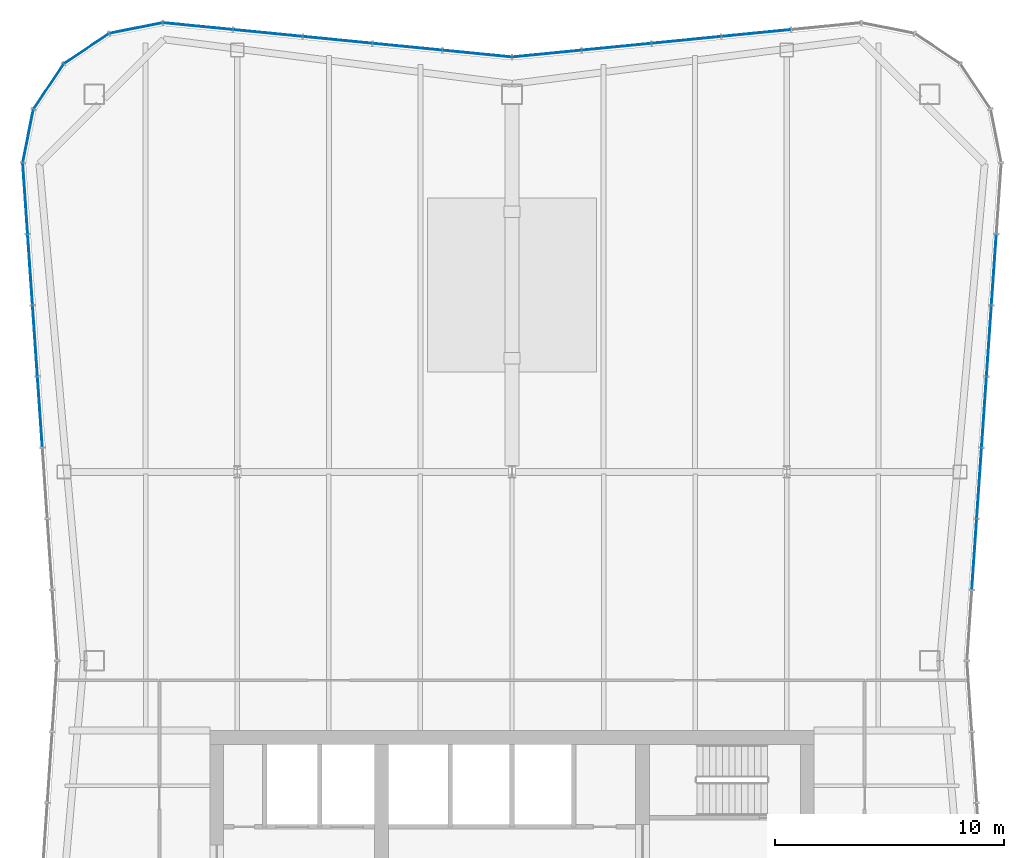
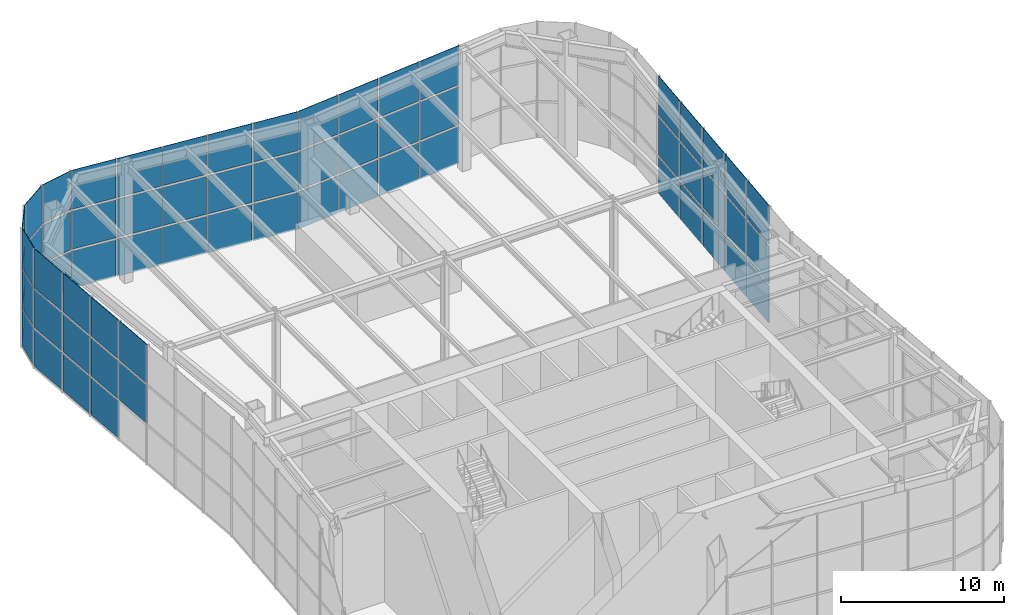
# One storey, part 10 of 16: 65 plates, 4 elements without a shape of their own.
"""IFC4 building model written with IfcOpenShell, lengths in metres."""

from ifc_helpers import new_model, si_unit, direction, frame, origin, origin_2d, place, context, subcontext, project, spatial, rectangle, extrude, material, layer, layer_set, type_object, element, aggregate, save


model = new_model("IFC4")

# Units and contexts
model_context = context("Model", 3, precision=1e-05, world=origin(), true_north=direction((0.0, 1.0)))
body_context = subcontext(model_context, "Body", "Model", "MODEL_VIEW")
ifc_project = project(units=[si_unit("LENGTHUNIT", "METRE"), si_unit("AREAUNIT", "SQUARE_METRE"), si_unit("VOLUMEUNIT", "CUBIC_METRE"), si_unit("PLANEANGLEUNIT", "RADIAN"), si_unit("MASSUNIT", "GRAM", prefix="KILO")], contexts=[model_context])

# Site, building, storey
site_placement = place(None, origin())
site = spatial("IfcSite", under=ifc_project, at=site_placement, CompositionType="ELEMENT")
building_placement = place(site_placement, origin())
building = spatial("IfcBuilding", under=site, at=building_placement, Name="Verdant Reach Tower", CompositionType="ELEMENT")
storey_placement = place(building_placement, frame((0.0, 0.0, 340.5)))
storey = spatial("IfcBuildingStorey", under=building, at=storey_placement, Name="L78 Damper", CompositionType="ELEMENT", Elevation=340.5)

# Curtain wall, plates
ifc_material_1 = material(Name="Anodised aluminium", Category="aluminium")
curtain_wall_type = type_object("IfcCurtainWallType", Name="EN-CW SYSTEM CROWN DAMPER", PredefinedType="NOTDEFINED", material=ifc_material_1)
curtain_wall_1_placement = place(storey_placement, origin())
curtain_wall_1 = element("IfcCurtainWall", 1, at=curtain_wall_1_placement, inside=storey, type_object=curtain_wall_type, Name="Curtain wall east, L78", PredefinedType="NOTDEFINED")
ifc_material_2 = material(Name="Clear laminated glass", Category="glass")
ifc_layer = layer(ifc_material_2, 0.035888671875)
ifc_layer_set = layer_set([ifc_layer], Name="EN-PANEL CLEAR")
plate_type = type_object("IfcPlateType", Name="EN-PANEL CLEAR", PredefinedType="CURTAIN_PANEL", material=ifc_layer_set)
plate_1_placement = place(storey_placement, frame((20.190185546875, 45.902587890625, -0.199951171875), z_axis=(0.0, 0.0, 1.0), x_axis=(0.068802091615, 0.997630328423, 0.0)))
plate_1 = element("IfcPlate", 2, at=plate_1_placement, type_object=plate_type, Name="Glass panel east face part 2 2.1, L78", PredefinedType="CURTAIN_PANEL", context=body_context, shape_type="SweptSolid", body=[
    extrude(rectangle(XDim=3.03857421875, YDim=0.035888671875, at=origin_2d()), origin(), (0.0, 0.0, 1.0), 2.77490234375),
])
plate_2_placement = place(storey_placement, frame((20.190185546875, 45.902587890625, 2.724853515625), z_axis=(0.0, 0.0, 1.0), x_axis=(0.068802091615, 0.997630328423, 0.0)))
plate_2 = element("IfcPlate", 3, at=plate_2_placement, type_object=plate_type, Name="Glass panel east face part 2 2.2, L78", PredefinedType="CURTAIN_PANEL", context=body_context, shape_type="SweptSolid", body=[
    extrude(rectangle(XDim=3.03857421875, YDim=0.035888671875, at=origin_2d()), origin(), (0.0, 0.0, 1.0), 2.85009765625),
])
plate_3_placement = place(storey_placement, frame((20.190185546875, 45.902587890625, 5.72509765625), z_axis=(0.0, 0.0, 1.0), x_axis=(0.068802091615, 0.997630328423, 0.0)))
plate_3 = element("IfcPlate", 4, at=plate_3_placement, type_object=plate_type, Name="Glass panel east face part 2 2.3, L78", PredefinedType="CURTAIN_PANEL", context=body_context, shape_type="SweptSolid", body=[
    extrude(rectangle(XDim=3.03857421875, YDim=0.035888671875, at=origin_2d()), origin(), (0.0, 0.0, 1.0), 2.925048828125),
])
plate_4_placement = place(storey_placement, frame((20.404541015625, 49.009765625, -0.199951171875), z_axis=(0.0, 0.0, 1.0), x_axis=(0.068802091615, 0.997630328423, 0.0)))
plate_4 = element("IfcPlate", 5, at=plate_4_placement, type_object=plate_type, Name="Glass panel east face part 2 3.1, L78", PredefinedType="CURTAIN_PANEL", context=body_context, shape_type="SweptSolid", body=[
    extrude(rectangle(XDim=3.03857421875, YDim=0.035888671875, at=origin_2d()), origin(), (0.0, 0.0, 1.0), 2.77490234375),
])
plate_5_placement = place(storey_placement, frame((20.404541015625, 49.009765625, 2.724853515625), z_axis=(0.0, 0.0, 1.0), x_axis=(0.068802091615, 0.997630328423, 0.0)))
plate_5 = element("IfcPlate", 6, at=plate_5_placement, type_object=plate_type, Name="Glass panel east face part 2 3.2, L78", PredefinedType="CURTAIN_PANEL", context=body_context, shape_type="SweptSolid", body=[
    extrude(rectangle(XDim=3.03857421875, YDim=0.035888671875, at=origin_2d()), origin(), (0.0, 0.0, 1.0), 2.85009765625),
])
plate_6_placement = place(storey_placement, frame((20.404541015625, 49.009765625, 5.72509765625), z_axis=(0.0, 0.0, 1.0), x_axis=(0.068802091615, 0.997630328423, 0.0)))
plate_6 = element("IfcPlate", 7, at=plate_6_placement, type_object=plate_type, Name="Glass panel east face part 2 3.3, L78", PredefinedType="CURTAIN_PANEL", context=body_context, shape_type="SweptSolid", body=[
    extrude(rectangle(XDim=3.03857421875, YDim=0.035888671875, at=origin_2d()), origin(), (0.0, 0.0, 1.0), 2.925048828125),
])
plate_7_placement = place(storey_placement, frame((20.61865234375, 52.11669921875, -0.199951171875), z_axis=(0.0, 0.0, 1.0), x_axis=(0.068802091615, 0.997630328423, 0.0)))
plate_7 = element("IfcPlate", 8, at=plate_7_placement, type_object=plate_type, Name="Glass panel east face part 2 4.1, L78", PredefinedType="CURTAIN_PANEL", context=body_context, shape_type="SweptSolid", body=[
    extrude(rectangle(XDim=3.03857421875, YDim=0.035888671875, at=origin_2d()), origin(), (0.0, 0.0, 1.0), 2.77490234375),
])
plate_8_placement = place(storey_placement, frame((20.61865234375, 52.11669921875, 2.724853515625), z_axis=(0.0, 0.0, 1.0), x_axis=(0.068802091615, 0.997630328423, 0.0)))
plate_8 = element("IfcPlate", 9, at=plate_8_placement, type_object=plate_type, Name="Glass panel east face part 2 4.2, L78", PredefinedType="CURTAIN_PANEL", context=body_context, shape_type="SweptSolid", body=[
    extrude(rectangle(XDim=3.03857421875, YDim=0.035888671875, at=origin_2d()), origin(), (0.0, 0.0, 1.0), 2.85009765625),
])
plate_9_placement = place(storey_placement, frame((20.61865234375, 52.11669921875, 5.72509765625), z_axis=(0.0, 0.0, 1.0), x_axis=(0.068802091615, 0.997630328423, 0.0)))
plate_9 = element("IfcPlate", 10, at=plate_9_placement, type_object=plate_type, Name="Glass panel east face part 2 4.3, L78", PredefinedType="CURTAIN_PANEL", context=body_context, shape_type="SweptSolid", body=[
    extrude(rectangle(XDim=3.03857421875, YDim=0.035888671875, at=origin_2d()), origin(), (0.0, 0.0, 1.0), 2.925048828125),
])
plate_10_placement = place(storey_placement, frame((20.8330078125, 55.223876953125, -0.199951171875), z_axis=(0.0, 0.0, 1.0), x_axis=(0.068802091615, 0.997630328423, 0.0)))
plate_10 = element("IfcPlate", 11, at=plate_10_placement, type_object=plate_type, Name="Glass panel east face part 2 5.1, L78", PredefinedType="CURTAIN_PANEL", context=body_context, shape_type="SweptSolid", body=[
    extrude(rectangle(XDim=3.03857421875, YDim=0.035888671875, at=origin_2d()), origin(), (0.0, 0.0, 1.0), 2.77490234375),
])
plate_11_placement = place(storey_placement, frame((20.8330078125, 55.223876953125, 2.724853515625), z_axis=(0.0, 0.0, 1.0), x_axis=(0.068802091615, 0.997630328423, 0.0)))
plate_11 = element("IfcPlate", 12, at=plate_11_placement, type_object=plate_type, Name="Glass panel east face part 2 5.2, L78", PredefinedType="CURTAIN_PANEL", context=body_context, shape_type="SweptSolid", body=[
    extrude(rectangle(XDim=3.03857421875, YDim=0.035888671875, at=origin_2d()), origin(), (0.0, 0.0, 1.0), 2.85009765625),
])
plate_12_placement = place(storey_placement, frame((20.8330078125, 55.223876953125, 5.72509765625), z_axis=(0.0, 0.0, 1.0), x_axis=(0.068802091615, 0.997630328423, 0.0)))
plate_12 = element("IfcPlate", 13, at=plate_12_placement, type_object=plate_type, Name="Glass panel east face part 2 5.3, L78", PredefinedType="CURTAIN_PANEL", context=body_context, shape_type="SweptSolid", body=[
    extrude(rectangle(XDim=3.03857421875, YDim=0.035888671875, at=origin_2d()), origin(), (0.0, 0.0, 1.0), 2.925048828125),
])
plate_13_placement = place(storey_placement, frame((21.04736328125, 58.3310546875, -0.199951171875), z_axis=(0.0, 0.0, 1.0), x_axis=(0.068802091615, 0.997630328423, 0.0)))
plate_13 = element("IfcPlate", 14, at=plate_13_placement, type_object=plate_type, Name="Glass panel east face part 2 6.1, L78", PredefinedType="CURTAIN_PANEL", context=body_context, shape_type="SweptSolid", body=[
    extrude(rectangle(XDim=3.03857421875, YDim=0.035888671875, at=origin_2d()), origin(), (0.0, 0.0, 1.0), 2.77490234375),
])
plate_14_placement = place(storey_placement, frame((21.04736328125, 58.3310546875, 2.724853515625), z_axis=(0.0, 0.0, 1.0), x_axis=(0.068802091615, 0.997630328423, 0.0)))
plate_14 = element("IfcPlate", 15, at=plate_14_placement, type_object=plate_type, Name="Glass panel east face part 2 6.2, L78", PredefinedType="CURTAIN_PANEL", context=body_context, shape_type="SweptSolid", body=[
    extrude(rectangle(XDim=3.03857421875, YDim=0.035888671875, at=origin_2d()), origin(), (0.0, 0.0, 1.0), 2.85009765625),
])
plate_15_placement = place(storey_placement, frame((21.04736328125, 58.3310546875, 5.72509765625), z_axis=(0.0, 0.0, 1.0), x_axis=(0.068802091615, 0.997630328423, 0.0)))
plate_15 = element("IfcPlate", 16, at=plate_15_placement, type_object=plate_type, Name="Glass panel east face part 2 6.3, L78", PredefinedType="CURTAIN_PANEL", context=body_context, shape_type="SweptSolid", body=[
    extrude(rectangle(XDim=3.03857421875, YDim=0.035888671875, at=origin_2d()), origin(), (0.0, 0.0, 1.0), 2.925048828125),
])
aggregate(curtain_wall_1, [plate_1, plate_2, plate_3, plate_4, plate_5, plate_6, plate_7, plate_8, plate_9, plate_10, plate_11, plate_12, plate_13, plate_14, plate_15])

curtain_wall_2_placement = place(storey_placement, origin())
curtain_wall_2 = element("IfcCurtainWall", 17, at=curtain_wall_2_placement, inside=storey, type_object=curtain_wall_type, Name="Curtain wall north, L78", PredefinedType="NOTDEFINED")
plate_16_placement = place(storey_placement, frame((10.663330078125, 68.66845703125, -0.199951171875), z_axis=(0.0, 0.0, 1.0), x_axis=(-0.995197410875, -0.09788826992, 0.0)))
plate_16 = element("IfcPlate", 18, at=plate_16_placement, type_object=plate_type, Name="Glass panel north face part 1 2.1, L78", PredefinedType="CURTAIN_PANEL", context=body_context, shape_type="SweptSolid", body=[
    extrude(rectangle(XDim=2.98876953125, YDim=0.035888671875, at=origin_2d()), origin(), (0.0, 0.0, 1.0), 2.77490234375),
])
plate_17_placement = place(storey_placement, frame((10.663330078125, 68.66845703125, 2.724853515625), z_axis=(0.0, 0.0, 1.0), x_axis=(-0.995197410875, -0.09788826992, 0.0)))
plate_17 = element("IfcPlate", 19, at=plate_17_placement, type_object=plate_type, Name="Glass panel north face part 1 2.2, L78", PredefinedType="CURTAIN_PANEL", context=body_context, shape_type="SweptSolid", body=[
    extrude(rectangle(XDim=2.98876953125, YDim=0.035888671875, at=origin_2d()), origin(), (0.0, 0.0, 1.0), 2.85009765625),
])
plate_18_placement = place(storey_placement, frame((10.663330078125, 68.66845703125, 5.72509765625), z_axis=(0.0, 0.0, 1.0), x_axis=(-0.995197410875, -0.09788826992, 0.0)))
plate_18 = element("IfcPlate", 20, at=plate_18_placement, type_object=plate_type, Name="Glass panel north face part 1 2.3, L78", PredefinedType="CURTAIN_PANEL", context=body_context, shape_type="SweptSolid", body=[
    extrude(rectangle(XDim=2.98876953125, YDim=0.035888671875, at=origin_2d()), origin(), (0.0, 0.0, 1.0), 2.925048828125),
])
plate_19_placement = place(storey_placement, frame((7.61328125, 68.368408203125, -0.199951171875), z_axis=(0.0, 0.0, 1.0), x_axis=(-0.995197410875, -0.09788826992, 0.0)))
plate_19 = element("IfcPlate", 21, at=plate_19_placement, type_object=plate_type, Name="Glass panel north face part 1 3.1, L78", PredefinedType="CURTAIN_PANEL", context=body_context, shape_type="SweptSolid", body=[
    extrude(rectangle(XDim=2.98876953125, YDim=0.035888671875, at=origin_2d()), origin(), (0.0, 0.0, 1.0), 2.77490234375),
])
plate_20_placement = place(storey_placement, frame((7.61328125, 68.368408203125, 2.724853515625), z_axis=(0.0, 0.0, 1.0), x_axis=(-0.995197410875, -0.09788826992, 0.0)))
plate_20 = element("IfcPlate", 22, at=plate_20_placement, type_object=plate_type, Name="Glass panel north face part 1 3.2, L78", PredefinedType="CURTAIN_PANEL", context=body_context, shape_type="SweptSolid", body=[
    extrude(rectangle(XDim=2.98876953125, YDim=0.035888671875, at=origin_2d()), origin(), (0.0, 0.0, 1.0), 2.85009765625),
])
plate_21_placement = place(storey_placement, frame((7.61328125, 68.368408203125, 5.72509765625), z_axis=(0.0, 0.0, 1.0), x_axis=(-0.995197410875, -0.09788826992, 0.0)))
plate_21 = element("IfcPlate", 23, at=plate_21_placement, type_object=plate_type, Name="Glass panel north face part 1 3.3, L78", PredefinedType="CURTAIN_PANEL", context=body_context, shape_type="SweptSolid", body=[
    extrude(rectangle(XDim=2.98876953125, YDim=0.035888671875, at=origin_2d()), origin(), (0.0, 0.0, 1.0), 2.925048828125),
])
plate_22_placement = place(storey_placement, frame((4.563232421875, 68.068359375, -0.199951171875), z_axis=(0.0, 0.0, 1.0), x_axis=(-0.995197410875, -0.09788826992, 0.0)))
plate_22 = element("IfcPlate", 24, at=plate_22_placement, type_object=plate_type, Name="Glass panel north face part 1 4.1, L78", PredefinedType="CURTAIN_PANEL", context=body_context, shape_type="SweptSolid", body=[
    extrude(rectangle(XDim=2.98876953125, YDim=0.035888671875, at=origin_2d()), origin(), (0.0, 0.0, 1.0), 2.77490234375),
])
plate_23_placement = place(storey_placement, frame((4.563232421875, 68.068359375, 2.724853515625), z_axis=(0.0, 0.0, 1.0), x_axis=(-0.995197410875, -0.09788826992, 0.0)))
plate_23 = element("IfcPlate", 25, at=plate_23_placement, type_object=plate_type, Name="Glass panel north face part 1 4.2, L78", PredefinedType="CURTAIN_PANEL", context=body_context, shape_type="SweptSolid", body=[
    extrude(rectangle(XDim=2.98876953125, YDim=0.035888671875, at=origin_2d()), origin(), (0.0, 0.0, 1.0), 2.85009765625),
])
plate_24_placement = place(storey_placement, frame((4.563232421875, 68.068359375, 5.72509765625), z_axis=(0.0, 0.0, 1.0), x_axis=(-0.995197410875, -0.09788826992, 0.0)))
plate_24 = element("IfcPlate", 26, at=plate_24_placement, type_object=plate_type, Name="Glass panel north face part 1 4.3, L78", PredefinedType="CURTAIN_PANEL", context=body_context, shape_type="SweptSolid", body=[
    extrude(rectangle(XDim=2.98876953125, YDim=0.035888671875, at=origin_2d()), origin(), (0.0, 0.0, 1.0), 2.925048828125),
])
plate_25_placement = place(storey_placement, frame((1.519287109375, 67.768798828125, -0.199951171875), z_axis=(0.0, 0.0, 1.0), x_axis=(-0.995179069607, -0.098074560493, 0.0)))
plate_25 = element("IfcPlate", 27, at=plate_25_placement, type_object=plate_type, Name="Glass panel north face part 1 5.1, L78", PredefinedType="CURTAIN_PANEL", context=body_context, shape_type="SweptSolid", body=[
    extrude(rectangle(XDim=2.97705078125, YDim=0.035888671875, at=origin_2d()), origin(), (0.0, 0.0, 1.0), 2.77490234375),
])
plate_26_placement = place(storey_placement, frame((1.519287109375, 67.768798828125, 2.724853515625), z_axis=(0.0, 0.0, 1.0), x_axis=(-0.995179069607, -0.098074560493, 0.0)))
plate_26 = element("IfcPlate", 28, at=plate_26_placement, type_object=plate_type, Name="Glass panel north face part 1 5.2, L78", PredefinedType="CURTAIN_PANEL", context=body_context, shape_type="SweptSolid", body=[
    extrude(rectangle(XDim=2.97705078125, YDim=0.035888671875, at=origin_2d()), origin(), (0.0, 0.0, 1.0), 2.85009765625),
])
plate_27_placement = place(storey_placement, frame((1.519287109375, 67.768798828125, 5.72509765625), z_axis=(0.0, 0.0, 1.0), x_axis=(-0.995179069607, -0.098074560493, 0.0)))
plate_27 = element("IfcPlate", 29, at=plate_27_placement, type_object=plate_type, Name="Glass panel north face part 1 5.3, L78", PredefinedType="CURTAIN_PANEL", context=body_context, shape_type="SweptSolid", body=[
    extrude(rectangle(XDim=2.97705078125, YDim=0.035888671875, at=origin_2d()), origin(), (0.0, 0.0, 1.0), 2.925048828125),
])
plate_28_placement = place(storey_placement, frame((-1.519287109375, 67.768798828125, -0.199951171875), z_axis=(0.0, 0.0, 1.0), x_axis=(-0.995179069607, 0.098074560493, 0.0)))
plate_28 = element("IfcPlate", 30, at=plate_28_placement, type_object=plate_type, Name="Glass panel north face part 2 1.1, L78", PredefinedType="CURTAIN_PANEL", context=body_context, shape_type="SweptSolid", body=[
    extrude(rectangle(XDim=2.97705078125, YDim=0.035888671875, at=origin_2d()), origin(), (0.0, 0.0, 1.0), 2.77490234375),
])
plate_29_placement = place(storey_placement, frame((-1.519287109375, 67.768798828125, 2.724853515625), z_axis=(0.0, 0.0, 1.0), x_axis=(-0.995179069607, 0.098074560493, 0.0)))
plate_29 = element("IfcPlate", 31, at=plate_29_placement, type_object=plate_type, Name="Glass panel north face part 2 1.2, L78", PredefinedType="CURTAIN_PANEL", context=body_context, shape_type="SweptSolid", body=[
    extrude(rectangle(XDim=2.97705078125, YDim=0.035888671875, at=origin_2d()), origin(), (0.0, 0.0, 1.0), 2.85009765625),
])
plate_30_placement = place(storey_placement, frame((-1.519287109375, 67.768798828125, 5.72509765625), z_axis=(0.0, 0.0, 1.0), x_axis=(-0.995179069607, 0.098074560493, 0.0)))
plate_30 = element("IfcPlate", 32, at=plate_30_placement, type_object=plate_type, Name="Glass panel north face part 2 1.3, L78", PredefinedType="CURTAIN_PANEL", context=body_context, shape_type="SweptSolid", body=[
    extrude(rectangle(XDim=2.97705078125, YDim=0.035888671875, at=origin_2d()), origin(), (0.0, 0.0, 1.0), 2.925048828125),
])
plate_31_placement = place(storey_placement, frame((-4.563232421875, 68.068359375, -0.199951171875), z_axis=(0.0, 0.0, 1.0), x_axis=(-0.995197410875, 0.09788826992, 0.0)))
plate_31 = element("IfcPlate", 33, at=plate_31_placement, type_object=plate_type, Name="Glass panel north face part 2 2.1, L78", PredefinedType="CURTAIN_PANEL", context=body_context, shape_type="SweptSolid", body=[
    extrude(rectangle(XDim=2.98876953125, YDim=0.035888671875, at=origin_2d()), origin(), (0.0, 0.0, 1.0), 2.77490234375),
])
plate_32_placement = place(storey_placement, frame((-4.563232421875, 68.068359375, 2.724853515625), z_axis=(0.0, 0.0, 1.0), x_axis=(-0.995197410875, 0.09788826992, 0.0)))
plate_32 = element("IfcPlate", 34, at=plate_32_placement, type_object=plate_type, Name="Glass panel north face part 2 2.2, L78", PredefinedType="CURTAIN_PANEL", context=body_context, shape_type="SweptSolid", body=[
    extrude(rectangle(XDim=2.98876953125, YDim=0.035888671875, at=origin_2d()), origin(), (0.0, 0.0, 1.0), 2.85009765625),
])
plate_33_placement = place(storey_placement, frame((-4.563232421875, 68.068359375, 5.72509765625), z_axis=(0.0, 0.0, 1.0), x_axis=(-0.995197410875, 0.09788826992, 0.0)))
plate_33 = element("IfcPlate", 35, at=plate_33_placement, type_object=plate_type, Name="Glass panel north face part 2 2.3, L78", PredefinedType="CURTAIN_PANEL", context=body_context, shape_type="SweptSolid", body=[
    extrude(rectangle(XDim=2.98876953125, YDim=0.035888671875, at=origin_2d()), origin(), (0.0, 0.0, 1.0), 2.925048828125),
])
plate_34_placement = place(storey_placement, frame((-7.61328125, 68.368408203125, -0.199951171875), z_axis=(0.0, 0.0, 1.0), x_axis=(-0.995197410875, 0.09788826992, 0.0)))
plate_34 = element("IfcPlate", 36, at=plate_34_placement, type_object=plate_type, Name="Glass panel north face part 2 3.1, L78", PredefinedType="CURTAIN_PANEL", context=body_context, shape_type="SweptSolid", body=[
    extrude(rectangle(XDim=2.98876953125, YDim=0.035888671875, at=origin_2d()), origin(), (0.0, 0.0, 1.0), 2.77490234375),
])
plate_35_placement = place(storey_placement, frame((-7.61328125, 68.368408203125, 2.724853515625), z_axis=(0.0, 0.0, 1.0), x_axis=(-0.995197410875, 0.09788826992, 0.0)))
plate_35 = element("IfcPlate", 37, at=plate_35_placement, type_object=plate_type, Name="Glass panel north face part 2 3.2, L78", PredefinedType="CURTAIN_PANEL", context=body_context, shape_type="SweptSolid", body=[
    extrude(rectangle(XDim=2.98876953125, YDim=0.035888671875, at=origin_2d()), origin(), (0.0, 0.0, 1.0), 2.85009765625),
])
plate_36_placement = place(storey_placement, frame((-7.61328125, 68.368408203125, 5.72509765625), z_axis=(0.0, 0.0, 1.0), x_axis=(-0.995197410875, 0.09788826992, 0.0)))
plate_36 = element("IfcPlate", 38, at=plate_36_placement, type_object=plate_type, Name="Glass panel north face part 2 3.3, L78", PredefinedType="CURTAIN_PANEL", context=body_context, shape_type="SweptSolid", body=[
    extrude(rectangle(XDim=2.98876953125, YDim=0.035888671875, at=origin_2d()), origin(), (0.0, 0.0, 1.0), 2.925048828125),
])
plate_37_placement = place(storey_placement, frame((-10.663330078125, 68.66845703125, -0.199951171875), z_axis=(0.0, 0.0, 1.0), x_axis=(-0.995197410875, 0.09788826992, 0.0)))
plate_37 = element("IfcPlate", 39, at=plate_37_placement, type_object=plate_type, Name="Glass panel north face part 2 4.1, L78", PredefinedType="CURTAIN_PANEL", context=body_context, shape_type="SweptSolid", body=[
    extrude(rectangle(XDim=2.98876953125, YDim=0.035888671875, at=origin_2d()), origin(), (0.0, 0.0, 1.0), 2.77490234375),
])
plate_38_placement = place(storey_placement, frame((-10.663330078125, 68.66845703125, 2.724853515625), z_axis=(0.0, 0.0, 1.0), x_axis=(-0.995197410875, 0.09788826992, 0.0)))
plate_38 = element("IfcPlate", 40, at=plate_38_placement, type_object=plate_type, Name="Glass panel north face part 2 4.2, L78", PredefinedType="CURTAIN_PANEL", context=body_context, shape_type="SweptSolid", body=[
    extrude(rectangle(XDim=2.98876953125, YDim=0.035888671875, at=origin_2d()), origin(), (0.0, 0.0, 1.0), 2.85009765625),
])
plate_39_placement = place(storey_placement, frame((-10.663330078125, 68.66845703125, 5.72509765625), z_axis=(0.0, 0.0, 1.0), x_axis=(-0.995197410875, 0.09788826992, 0.0)))
plate_39 = element("IfcPlate", 41, at=plate_39_placement, type_object=plate_type, Name="Glass panel north face part 2 4.3, L78", PredefinedType="CURTAIN_PANEL", context=body_context, shape_type="SweptSolid", body=[
    extrude(rectangle(XDim=2.98876953125, YDim=0.035888671875, at=origin_2d()), origin(), (0.0, 0.0, 1.0), 2.925048828125),
])
plate_40_placement = place(storey_placement, frame((-13.72216796875, 68.96875, -0.199951171875), z_axis=(0.0, 0.0, 1.0), x_axis=(-0.995238191716, 0.097472774402, 0.0)))
plate_40 = element("IfcPlate", 42, at=plate_40_placement, type_object=plate_type, Name="Glass panel north face part 2 5.1, L78", PredefinedType="CURTAIN_PANEL", context=body_context, shape_type="SweptSolid", body=[
    extrude(rectangle(XDim=3.006103515625, YDim=0.035888671875, at=origin_2d()), origin(), (0.0, 0.0, 1.0), 2.77490234375),
])
plate_41_placement = place(storey_placement, frame((-13.72216796875, 68.96875, 2.724853515625), z_axis=(0.0, 0.0, 1.0), x_axis=(-0.995238191716, 0.097472774402, 0.0)))
plate_41 = element("IfcPlate", 43, at=plate_41_placement, type_object=plate_type, Name="Glass panel north face part 2 5.2, L78", PredefinedType="CURTAIN_PANEL", context=body_context, shape_type="SweptSolid", body=[
    extrude(rectangle(XDim=3.006103515625, YDim=0.035888671875, at=origin_2d()), origin(), (0.0, 0.0, 1.0), 2.85009765625),
])
plate_42_placement = place(storey_placement, frame((-13.72216796875, 68.96875, 5.72509765625), z_axis=(0.0, 0.0, 1.0), x_axis=(-0.995238191716, 0.097472774402, 0.0)))
plate_42 = element("IfcPlate", 44, at=plate_42_placement, type_object=plate_type, Name="Glass panel north face part 2 5.3, L78", PredefinedType="CURTAIN_PANEL", context=body_context, shape_type="SweptSolid", body=[
    extrude(rectangle(XDim=3.006103515625, YDim=0.035888671875, at=origin_2d()), origin(), (0.0, 0.0, 1.0), 2.925048828125),
])
aggregate(curtain_wall_2, [plate_16, plate_17, plate_18, plate_19, plate_20, plate_21, plate_22, plate_23, plate_24, plate_25, plate_26, plate_27, plate_28, plate_29, plate_30, plate_31, plate_32, plate_33, plate_34, plate_35, plate_36, plate_37, plate_38, plate_39, plate_40, plate_41, plate_42])

curtain_wall_3_placement = place(storey_placement, origin())
curtain_wall_3 = element("IfcCurtainWall", 45, at=curtain_wall_3_placement, inside=storey, type_object=curtain_wall_type, Name="Curtain wall north-west corner, L78", PredefinedType="NOTDEFINED")
plate_43_placement = place(storey_placement, frame((-16.423828125, 68.885986328125, -0.199951171875), z_axis=(0.0, 0.0, 1.0), x_axis=(-0.980705120874, -0.195492879387, 0.0)))
plate_43 = element("IfcPlate", 46, at=plate_43_placement, type_object=plate_type, Name="Glass panel north-west corner 1.1, L78", PredefinedType="CURTAIN_PANEL", context=body_context, shape_type="SweptSolid", body=[
    extrude(rectangle(XDim=2.3056640625, YDim=0.035888671875, at=origin_2d()), origin(), (0.0, 0.0, 1.0), 2.77490234375),
])
plate_44_placement = place(storey_placement, frame((-16.423828125, 68.885986328125, 2.724853515625), z_axis=(0.0, 0.0, 1.0), x_axis=(-0.980705120874, -0.195492879387, 0.0)))
plate_44 = element("IfcPlate", 47, at=plate_44_placement, type_object=plate_type, Name="Glass panel north-west corner 1.2, L78", PredefinedType="CURTAIN_PANEL", context=body_context, shape_type="SweptSolid", body=[
    extrude(rectangle(XDim=2.3056640625, YDim=0.035888671875, at=origin_2d()), origin(), (0.0, 0.0, 1.0), 2.85009765625),
])
plate_45_placement = place(storey_placement, frame((-16.423828125, 68.885986328125, 5.72509765625), z_axis=(0.0, 0.0, 1.0), x_axis=(-0.980705120874, -0.195492879387, 0.0)))
plate_45 = element("IfcPlate", 48, at=plate_45_placement, type_object=plate_type, Name="Glass panel north-west corner 1.3, L78", PredefinedType="CURTAIN_PANEL", context=body_context, shape_type="SweptSolid", body=[
    extrude(rectangle(XDim=2.3056640625, YDim=0.035888671875, at=origin_2d()), origin(), (0.0, 0.0, 1.0), 2.925048828125),
])
plate_46_placement = place(storey_placement, frame((-18.584228515625, 67.989990234375, -0.199951171875), z_axis=(0.0, 0.0, 1.0), x_axis=(-0.83145208321, -0.555596466265, 0.0)))
plate_46 = element("IfcPlate", 49, at=plate_46_placement, type_object=plate_type, Name="Glass panel north-west corner 2.1, L78", PredefinedType="CURTAIN_PANEL", context=body_context, shape_type="SweptSolid", body=[
    extrude(rectangle(XDim=2.3115234375, YDim=0.035888671875, at=origin_2d()), origin(), (0.0, 0.0, 1.0), 2.77490234375),
])
plate_47_placement = place(storey_placement, frame((-18.584228515625, 67.989990234375, 2.724853515625), z_axis=(0.0, 0.0, 1.0), x_axis=(-0.83145208321, -0.555596466265, 0.0)))
plate_47 = element("IfcPlate", 50, at=plate_47_placement, type_object=plate_type, Name="Glass panel north-west corner 2.2, L78", PredefinedType="CURTAIN_PANEL", context=body_context, shape_type="SweptSolid", body=[
    extrude(rectangle(XDim=2.3115234375, YDim=0.035888671875, at=origin_2d()), origin(), (0.0, 0.0, 1.0), 2.85009765625),
])
plate_48_placement = place(storey_placement, frame((-18.584228515625, 67.989990234375, 5.72509765625), z_axis=(0.0, 0.0, 1.0), x_axis=(-0.83145208321, -0.555596466265, 0.0)))
plate_48 = element("IfcPlate", 51, at=plate_48_placement, type_object=plate_type, Name="Glass panel north-west corner 2.3, L78", PredefinedType="CURTAIN_PANEL", context=body_context, shape_type="SweptSolid", body=[
    extrude(rectangle(XDim=2.3115234375, YDim=0.035888671875, at=origin_2d()), origin(), (0.0, 0.0, 1.0), 2.925048828125),
])
plate_49_placement = place(storey_placement, frame((-20.239990234375, 66.334228515625, -0.199951171875), z_axis=(0.0, 0.0, 1.0), x_axis=(-0.555596466265, -0.83145208321, 0.0)))
plate_49 = element("IfcPlate", 52, at=plate_49_placement, type_object=plate_type, Name="Glass panel north-west corner 3.1, L78", PredefinedType="CURTAIN_PANEL", context=body_context, shape_type="SweptSolid", body=[
    extrude(rectangle(XDim=2.3115234375, YDim=0.035888671875, at=origin_2d()), origin(), (0.0, 0.0, 1.0), 2.77490234375),
])
plate_50_placement = place(storey_placement, frame((-20.239990234375, 66.334228515625, 2.724853515625), z_axis=(0.0, 0.0, 1.0), x_axis=(-0.555596466265, -0.83145208321, 0.0)))
plate_50 = element("IfcPlate", 53, at=plate_50_placement, type_object=plate_type, Name="Glass panel north-west corner 3.2, L78", PredefinedType="CURTAIN_PANEL", context=body_context, shape_type="SweptSolid", body=[
    extrude(rectangle(XDim=2.3115234375, YDim=0.035888671875, at=origin_2d()), origin(), (0.0, 0.0, 1.0), 2.85009765625),
])
plate_51_placement = place(storey_placement, frame((-20.239990234375, 66.334228515625, 5.72509765625), z_axis=(0.0, 0.0, 1.0), x_axis=(-0.555596466265, -0.83145208321, 0.0)))
plate_51 = element("IfcPlate", 54, at=plate_51_placement, type_object=plate_type, Name="Glass panel north-west corner 3.3, L78", PredefinedType="CURTAIN_PANEL", context=body_context, shape_type="SweptSolid", body=[
    extrude(rectangle(XDim=2.3115234375, YDim=0.035888671875, at=origin_2d()), origin(), (0.0, 0.0, 1.0), 2.925048828125),
])
plate_52_placement = place(storey_placement, frame((-21.135986328125, 64.174560546875, -0.199951171875), z_axis=(0.0, 0.0, 1.0), x_axis=(-0.195592962334, -0.980685165119, 0.0)))
plate_52 = element("IfcPlate", 55, at=plate_52_placement, type_object=plate_type, Name="Glass panel north-west corner 4.1, L78", PredefinedType="CURTAIN_PANEL", context=body_context, shape_type="SweptSolid", body=[
    extrude(rectangle(XDim=2.303955078125, YDim=0.035888671875, at=origin_2d()), origin(), (0.0, 0.0, 1.0), 2.77490234375),
])
plate_53_placement = place(storey_placement, frame((-21.135986328125, 64.174560546875, 2.724853515625), z_axis=(0.0, 0.0, 1.0), x_axis=(-0.195592962334, -0.980685165119, 0.0)))
plate_53 = element("IfcPlate", 56, at=plate_53_placement, type_object=plate_type, Name="Glass panel north-west corner 4.2, L78", PredefinedType="CURTAIN_PANEL", context=body_context, shape_type="SweptSolid", body=[
    extrude(rectangle(XDim=2.303955078125, YDim=0.035888671875, at=origin_2d()), origin(), (0.0, 0.0, 1.0), 2.85009765625),
])
plate_54_placement = place(storey_placement, frame((-21.135986328125, 64.174560546875, 5.72509765625), z_axis=(0.0, 0.0, 1.0), x_axis=(-0.195592962334, -0.980685165119, 0.0)))
plate_54 = element("IfcPlate", 57, at=plate_54_placement, type_object=plate_type, Name="Glass panel north-west corner 4.3, L78", PredefinedType="CURTAIN_PANEL", context=body_context, shape_type="SweptSolid", body=[
    extrude(rectangle(XDim=2.303955078125, YDim=0.035888671875, at=origin_2d()), origin(), (0.0, 0.0, 1.0), 2.925048828125),
])
aggregate(curtain_wall_3, [plate_43, plate_44, plate_45, plate_46, plate_47, plate_48, plate_49, plate_50, plate_51, plate_52, plate_53, plate_54])

curtain_wall_4_placement = place(storey_placement, origin())
curtain_wall_4 = element("IfcCurtainWall", 58, at=curtain_wall_4_placement, inside=storey, type_object=curtain_wall_type, Name="Curtain wall west, L78", PredefinedType="NOTDEFINED")
plate_55_placement = place(storey_placement, frame((-21.261474609375, 61.446044921875, -0.199951171875), z_axis=(0.0, 0.0, 1.0), x_axis=(0.068469163133, -0.997653233193, 0.0)))
plate_55 = element("IfcPlate", 59, at=plate_55_placement, type_object=plate_type, Name="Glass panel west face part 1 1.1, L78", PredefinedType="CURTAIN_PANEL", context=body_context, shape_type="SweptSolid", body=[
    extrude(rectangle(XDim=3.05419921875, YDim=0.035888671875, at=origin_2d()), origin(), (0.0, 0.0, 1.0), 2.77490234375),
])
plate_56_placement = place(storey_placement, frame((-21.261474609375, 61.446044921875, 2.724853515625), z_axis=(0.0, 0.0, 1.0), x_axis=(0.068469163133, -0.997653233193, 0.0)))
plate_56 = element("IfcPlate", 60, at=plate_56_placement, type_object=plate_type, Name="Glass panel west face part 1 1.2, L78", PredefinedType="CURTAIN_PANEL", context=body_context, shape_type="SweptSolid", body=[
    extrude(rectangle(XDim=3.05419921875, YDim=0.035888671875, at=origin_2d()), origin(), (0.0, 0.0, 1.0), 2.85009765625),
])
plate_57_placement = place(storey_placement, frame((-21.261474609375, 61.446044921875, 5.72509765625), z_axis=(0.0, 0.0, 1.0), x_axis=(0.068469163133, -0.997653233193, 0.0)))
plate_57 = element("IfcPlate", 61, at=plate_57_placement, type_object=plate_type, Name="Glass panel west face part 1 1.3, L78", PredefinedType="CURTAIN_PANEL", context=body_context, shape_type="SweptSolid", body=[
    extrude(rectangle(XDim=3.05419921875, YDim=0.035888671875, at=origin_2d()), origin(), (0.0, 0.0, 1.0), 2.925048828125),
])
plate_58_placement = place(storey_placement, frame((-21.04736328125, 58.3310546875, -0.199951171875), z_axis=(0.0, 0.0, 1.0), x_axis=(0.068802091615, -0.997630328423, 0.0)))
plate_58 = element("IfcPlate", 62, at=plate_58_placement, type_object=plate_type, Name="Glass panel west face part 1 2.1, L78", PredefinedType="CURTAIN_PANEL", context=body_context, shape_type="SweptSolid", body=[
    extrude(rectangle(XDim=3.03857421875, YDim=0.035888671875, at=origin_2d()), origin(), (0.0, 0.0, 1.0), 2.77490234375),
])
plate_59_placement = place(storey_placement, frame((-21.04736328125, 58.3310546875, 2.724853515625), z_axis=(0.0, 0.0, 1.0), x_axis=(0.068802091615, -0.997630328423, 0.0)))
plate_59 = element("IfcPlate", 63, at=plate_59_placement, type_object=plate_type, Name="Glass panel west face part 1 2.2, L78", PredefinedType="CURTAIN_PANEL", context=body_context, shape_type="SweptSolid", body=[
    extrude(rectangle(XDim=3.03857421875, YDim=0.035888671875, at=origin_2d()), origin(), (0.0, 0.0, 1.0), 2.85009765625),
])
plate_60_placement = place(storey_placement, frame((-21.04736328125, 58.3310546875, 5.72509765625), z_axis=(0.0, 0.0, 1.0), x_axis=(0.068802091615, -0.997630328423, 0.0)))
plate_60 = element("IfcPlate", 64, at=plate_60_placement, type_object=plate_type, Name="Glass panel west face part 1 2.3, L78", PredefinedType="CURTAIN_PANEL", context=body_context, shape_type="SweptSolid", body=[
    extrude(rectangle(XDim=3.03857421875, YDim=0.035888671875, at=origin_2d()), origin(), (0.0, 0.0, 1.0), 2.925048828125),
])
plate_61_placement = place(storey_placement, frame((-20.8330078125, 55.223876953125, -0.199951171875), z_axis=(0.0, 0.0, 1.0), x_axis=(0.068802091615, -0.997630328423, 0.0)))
plate_61 = element("IfcPlate", 65, at=plate_61_placement, type_object=plate_type, Name="Glass panel west face part 1 3.1, L78", PredefinedType="CURTAIN_PANEL", context=body_context, shape_type="SweptSolid", body=[
    extrude(rectangle(XDim=3.03857421875, YDim=0.035888671875, at=origin_2d()), origin(), (0.0, 0.0, 1.0), 2.77490234375),
])
plate_62_placement = place(storey_placement, frame((-20.8330078125, 55.223876953125, 2.724853515625), z_axis=(0.0, 0.0, 1.0), x_axis=(0.068802091615, -0.997630328423, 0.0)))
plate_62 = element("IfcPlate", 66, at=plate_62_placement, type_object=plate_type, Name="Glass panel west face part 1 3.2, L78", PredefinedType="CURTAIN_PANEL", context=body_context, shape_type="SweptSolid", body=[
    extrude(rectangle(XDim=3.03857421875, YDim=0.035888671875, at=origin_2d()), origin(), (0.0, 0.0, 1.0), 2.85009765625),
])
plate_63_placement = place(storey_placement, frame((-20.8330078125, 55.223876953125, 5.72509765625), z_axis=(0.0, 0.0, 1.0), x_axis=(0.068802091615, -0.997630328423, 0.0)))
plate_63 = element("IfcPlate", 67, at=plate_63_placement, type_object=plate_type, Name="Glass panel west face part 1 3.3, L78", PredefinedType="CURTAIN_PANEL", context=body_context, shape_type="SweptSolid", body=[
    extrude(rectangle(XDim=3.03857421875, YDim=0.035888671875, at=origin_2d()), origin(), (0.0, 0.0, 1.0), 2.925048828125),
])
plate_64_placement = place(storey_placement, frame((-20.61865234375, 52.11669921875, 2.724853515625), z_axis=(0.0, 0.0, 1.0), x_axis=(0.068802091615, -0.997630328423, 0.0)))
plate_64 = element("IfcPlate", 68, at=plate_64_placement, type_object=plate_type, Name="Glass panel west face part 1 4.2, L78", PredefinedType="CURTAIN_PANEL", context=body_context, shape_type="SweptSolid", body=[
    extrude(rectangle(XDim=3.03857421875, YDim=0.035888671875, at=origin_2d()), origin(), (0.0, 0.0, 1.0), 2.85009765625),
])
plate_65_placement = place(storey_placement, frame((-20.61865234375, 52.11669921875, 5.72509765625), z_axis=(0.0, 0.0, 1.0), x_axis=(0.068802091615, -0.997630328423, 0.0)))
plate_65 = element("IfcPlate", 69, at=plate_65_placement, type_object=plate_type, Name="Glass panel west face part 1 4.3, L78", PredefinedType="CURTAIN_PANEL", context=body_context, shape_type="SweptSolid", body=[
    extrude(rectangle(XDim=3.03857421875, YDim=0.035888671875, at=origin_2d()), origin(), (0.0, 0.0, 1.0), 2.925048828125),
])
aggregate(curtain_wall_4, [plate_55, plate_56, plate_57, plate_58, plate_59, plate_60, plate_61, plate_62, plate_63, plate_64, plate_65])

save(model, "model.ifc")
